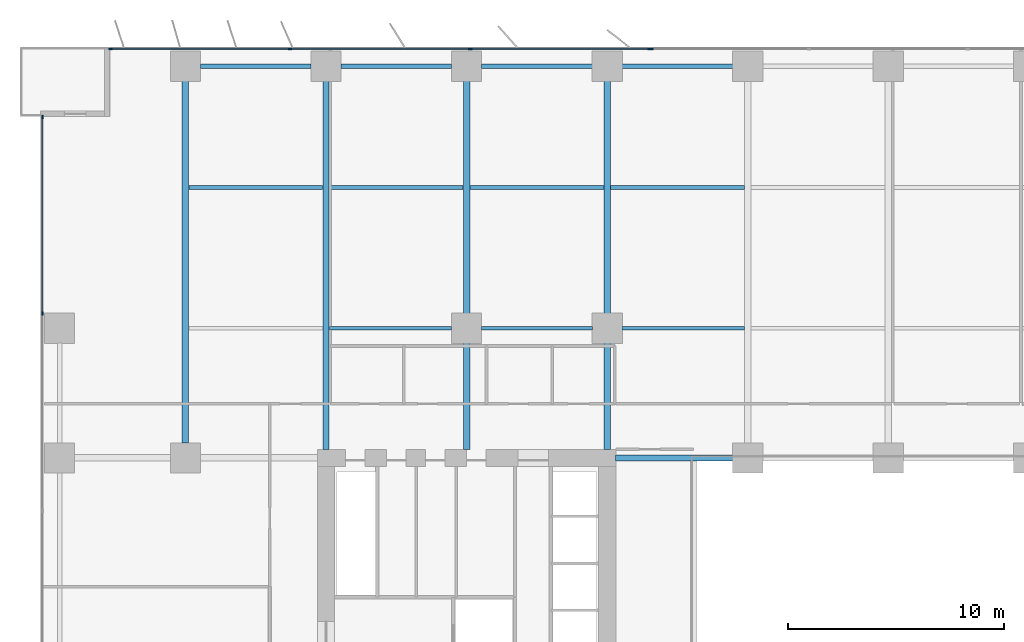
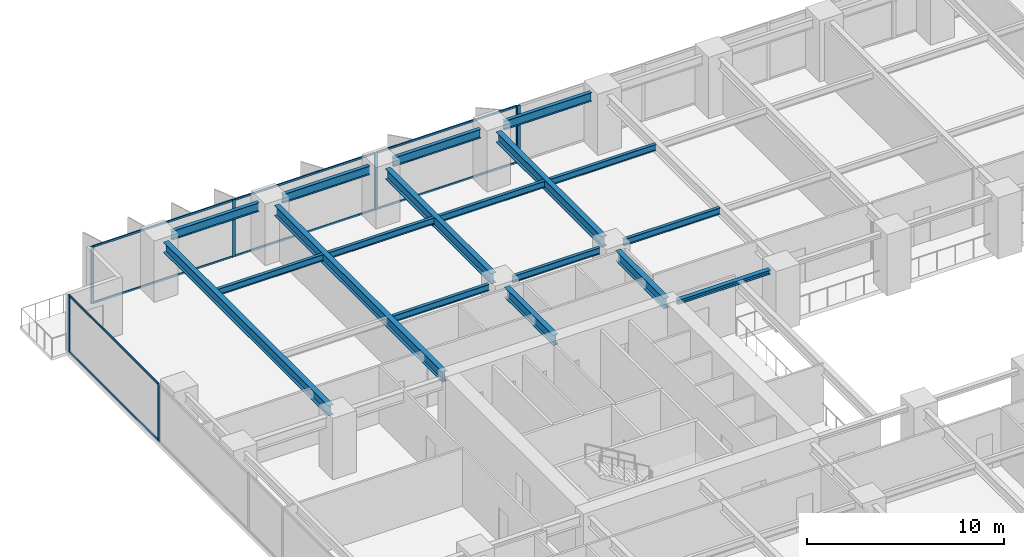
# One storey, part 7 of 20: 18 beams, 15 members, 3 elements without a shape of their own.
"""IFC4 building model written with IfcOpenShell, lengths in metres."""

from ifc_helpers import new_model, si_unit, direction, frame, origin, origin_2d, place, context, subcontext, project, spatial, rectangle, i_section, extrude, material, layer, layer_set, material_profile, profile_set, type_object, element, aggregate, save


model = new_model("IFC4")

# Units and contexts
model_context = context("Model", 3, precision=1e-05, world=origin(), true_north=direction((0.0, 1.0)))
body_context = subcontext(model_context, "Body", "Model", "MODEL_VIEW")
ifc_project = project(units=[si_unit("LENGTHUNIT", "METRE"), si_unit("AREAUNIT", "SQUARE_METRE"), si_unit("VOLUMEUNIT", "CUBIC_METRE"), si_unit("PLANEANGLEUNIT", "RADIAN"), si_unit("MASSUNIT", "GRAM", prefix="KILO")], contexts=[model_context])

# Site, building, storey
site_placement = place(None, origin())
site = spatial("IfcSite", under=ifc_project, at=site_placement, CompositionType="ELEMENT")
building_placement = place(site_placement, origin())
building = spatial("IfcBuilding", under=site, at=building_placement, Name="Putna Gate Headquarters", CompositionType="ELEMENT")
storey_placement = place(building_placement, frame((0.0, 0.0, 73.39990234375)))
storey = spatial("IfcBuildingStorey", under=building, at=storey_placement, Name="L17", CompositionType="ELEMENT", Elevation=73.39990234375)

# Beams
ifc_material_1 = material(Name="Steel S355J2", Category="steel")
ifc_material_profile_1 = material_profile(ifc_material_1, i_section(OverallWidth=0.260009765625, OverallDepth=0.260009765625, WebThickness=0.010009765625, FlangeThickness=0.017578125, at=origin_2d()), Name="Steel S355J2")
ifc_profile_set_1 = profile_set([ifc_material_profile_1], Name="Steel S355J2")
beam_type_1 = type_object("IfcBeamType", Name="BM-ATRIUM-HEB260", PredefinedType="BEAM", material=ifc_profile_set_1)
beam_1_placement = place(storey_placement, frame((26.385009765625, 33.0, 3.420166015625), z_axis=(1.0, 0.0, 0.0), x_axis=(0.0, 1.0, 0.0)))
element("IfcBeam", 1, at=beam_1_placement, inside=storey, type_object=beam_type_1, Name="L17 Atrium Edge Beam AN1", PredefinedType="BEAM", context=body_context, shape_type="SweptSolid", body=[
    extrude(i_section(OverallWidth=0.260009765625, OverallDepth=0.260009765625, WebThickness=0.010009765625, FlangeThickness=0.017578125, at=origin_2d()), origin(), (0.0, 0.0, 1.0), 5.427001953125),
])
ifc_material_profile_2 = material_profile(ifc_material_1, i_section(OverallWidth=0.300048828125, OverallDepth=0.64990234375, WebThickness=0.01611328125, FlangeThickness=0.031005859375, at=origin_2d()), Name="Steel S355J2")
ifc_profile_set_2 = profile_set([ifc_material_profile_2], Name="Steel S355J2")
beam_type_2 = type_object("IfcBeamType", Name="BM-GIRD-Z1-HEB650", PredefinedType="USERDEFINED", material=ifc_profile_set_2)
beam_2_placement = place(storey_placement, frame((6.5, 33.68798828125, 3.22509765625), z_axis=(0.0, 1.0, 0.0), x_axis=(-1.0, 0.0, 0.0)))
element("IfcBeam", 2, at=beam_2_placement, inside=storey, type_object=beam_type_2, Name="L17 North Primary Girder X6", ObjectType="GIRDER", PredefinedType="USERDEFINED", context=body_context, shape_type="SweptSolid", body=[
    extrude(i_section(OverallWidth=0.300048828125, OverallDepth=0.64990234375, WebThickness=0.01611328125, FlangeThickness=0.031005859375, at=origin_2d()), origin(), (0.0, 0.0, 1.0), 16.743896484375),
])
beam_3_placement = place(storey_placement, frame((13.0, 33.385009765625, 3.22509765625), z_axis=(0.0, 1.0, 0.0), x_axis=(-1.0, 0.0, 0.0)))
element("IfcBeam", 3, at=beam_3_placement, inside=storey, type_object=beam_type_2, Name="L17 North Primary Girder X13", ObjectType="GIRDER", PredefinedType="USERDEFINED", context=body_context, shape_type="SweptSolid", body=[
    extrude(i_section(OverallWidth=0.300048828125, OverallDepth=0.64990234375, WebThickness=0.01611328125, FlangeThickness=0.031005859375, at=origin_2d()), origin(), (0.0, 0.0, 1.0), 17.046875),
])
beam_4_placement = place(storey_placement, frame((19.5, 33.385009765625, 3.22509765625), z_axis=(0.0, 1.0, 0.0), x_axis=(-1.0, 0.0, 0.0)))
element("IfcBeam", 4, at=beam_4_placement, inside=storey, type_object=beam_type_2, Name="L17 North Primary Girder X19-1", ObjectType="GIRDER", PredefinedType="USERDEFINED", context=body_context, shape_type="SweptSolid", body=[
    extrude(i_section(OverallWidth=0.300048828125, OverallDepth=0.64990234375, WebThickness=0.01611328125, FlangeThickness=0.031005859375, at=origin_2d()), origin(), (0.0, 0.0, 1.0), 4.927001953125),
])
beam_5_placement = place(storey_placement, frame((19.5, 39.68798828125, 3.22509765625), z_axis=(0.0, 1.0, 0.0), x_axis=(-1.0, 0.0, 0.0)))
element("IfcBeam", 5, at=beam_5_placement, inside=storey, type_object=beam_type_2, Name="L17 North Primary Girder X19-2", ObjectType="GIRDER", PredefinedType="USERDEFINED", context=body_context, shape_type="SweptSolid", body=[
    extrude(i_section(OverallWidth=0.300048828125, OverallDepth=0.64990234375, WebThickness=0.01611328125, FlangeThickness=0.031005859375, at=origin_2d()), origin(), (0.0, 0.0, 1.0), 10.743896484375),
])
beam_6_placement = place(storey_placement, frame((26.0, 33.385009765625, 3.22509765625), z_axis=(0.0, 1.0, 0.0), x_axis=(-1.0, 0.0, 0.0)))
element("IfcBeam", 6, at=beam_6_placement, inside=storey, type_object=beam_type_2, Name="L17 North Primary Girder X26-1", ObjectType="GIRDER", PredefinedType="USERDEFINED", context=body_context, shape_type="SweptSolid", body=[
    extrude(i_section(OverallWidth=0.300048828125, OverallDepth=0.64990234375, WebThickness=0.01611328125, FlangeThickness=0.031005859375, at=origin_2d()), origin(), (0.0, 0.0, 1.0), 4.927001953125),
])
beam_7_placement = place(storey_placement, frame((26.0, 39.68798828125, 3.22509765625), z_axis=(0.0, 1.0, 0.0), x_axis=(-1.0, 0.0, 0.0)))
element("IfcBeam", 7, at=beam_7_placement, inside=storey, type_object=beam_type_2, Name="L17 North Primary Girder X26-2", ObjectType="GIRDER", PredefinedType="USERDEFINED", context=body_context, shape_type="SweptSolid", body=[
    extrude(i_section(OverallWidth=0.300048828125, OverallDepth=0.64990234375, WebThickness=0.01611328125, FlangeThickness=0.031005859375, at=origin_2d()), origin(), (0.0, 0.0, 1.0), 10.743896484375),
])
ifc_material_profile_3 = material_profile(ifc_material_1, i_section(OverallWidth=0.179931640625, OverallDepth=0.39990234375, WebThickness=0.008544921875, FlangeThickness=0.013427734375, at=origin_2d()), Name="Steel S355J2")
ifc_profile_set_3 = profile_set([ifc_material_profile_3], Name="Steel S355J2")
beam_type_3 = type_object("IfcBeamType", Name="BM-SEC-Z1-IPE400", PredefinedType="BEAM", material=ifc_profile_set_3)
beam_8_placement = place(storey_placement, frame((6.654052734375, 45.5, 3.35009765625), z_axis=(1.0, 0.0, 0.0), x_axis=(0.0, 1.0, 0.0)))
element("IfcBeam", 8, at=beam_8_placement, inside=storey, type_object=beam_type_3, Name="L17 North Secondary Beam 1", PredefinedType="BEAM", context=body_context, shape_type="SweptSolid", body=[
    extrude(i_section(OverallWidth=0.179931640625, OverallDepth=0.39990234375, WebThickness=0.008544921875, FlangeThickness=0.013427734375, at=origin_2d()), origin(), (0.0, 0.0, 1.0), 6.19189453125),
])
beam_9_placement = place(storey_placement, frame((13.154052734375, 39.0, 3.35009765625), z_axis=(1.0, 0.0, 0.0), x_axis=(0.0, 1.0, 0.0)))
element("IfcBeam", 9, at=beam_9_placement, inside=storey, type_object=beam_type_3, Name="L17 North Secondary Beam 2", PredefinedType="BEAM", context=body_context, shape_type="SweptSolid", body=[
    extrude(i_section(OverallWidth=0.179931640625, OverallDepth=0.39990234375, WebThickness=0.008544921875, FlangeThickness=0.013427734375, at=origin_2d()), origin(), (0.0, 0.0, 1.0), 5.657958984375),
])
beam_10_placement = place(storey_placement, frame((13.154052734375, 45.5, 3.35009765625), z_axis=(1.0, 0.0, 0.0), x_axis=(0.0, 1.0, 0.0)))
element("IfcBeam", 10, at=beam_10_placement, inside=storey, type_object=beam_type_3, Name="L17 North Secondary Beam 2", PredefinedType="BEAM", context=body_context, shape_type="SweptSolid", body=[
    extrude(i_section(OverallWidth=0.179931640625, OverallDepth=0.39990234375, WebThickness=0.008544921875, FlangeThickness=0.013427734375, at=origin_2d()), origin(), (0.0, 0.0, 1.0), 6.19189453125),
])
beam_11_placement = place(storey_placement, frame((20.18798828125, 39.0, 3.35009765625), z_axis=(1.0, 0.0, 0.0), x_axis=(0.0, 1.0, 0.0)))
element("IfcBeam", 11, at=beam_11_placement, inside=storey, type_object=beam_type_3, Name="L17 North Secondary Beam 3", PredefinedType="BEAM", context=body_context, shape_type="SweptSolid", body=[
    extrude(i_section(OverallWidth=0.179931640625, OverallDepth=0.39990234375, WebThickness=0.008544921875, FlangeThickness=0.013427734375, at=origin_2d()), origin(), (0.0, 0.0, 1.0), 5.1240234375),
])
beam_12_placement = place(storey_placement, frame((19.654052734375, 45.5, 3.35009765625), z_axis=(1.0, 0.0, 0.0), x_axis=(0.0, 1.0, 0.0)))
element("IfcBeam", 12, at=beam_12_placement, inside=storey, type_object=beam_type_3, Name="L17 North Secondary Beam 3", PredefinedType="BEAM", context=body_context, shape_type="SweptSolid", body=[
    extrude(i_section(OverallWidth=0.179931640625, OverallDepth=0.39990234375, WebThickness=0.008544921875, FlangeThickness=0.013427734375, at=origin_2d()), origin(), (0.0, 0.0, 1.0), 6.19189453125),
])
beam_13_placement = place(storey_placement, frame((26.68798828125, 39.0, 3.35009765625), z_axis=(1.0, 0.0, 0.0), x_axis=(0.0, 1.0, 0.0)))
element("IfcBeam", 13, at=beam_13_placement, inside=storey, type_object=beam_type_3, Name="L17 North Secondary Beam 4", PredefinedType="BEAM", context=body_context, shape_type="SweptSolid", body=[
    extrude(i_section(OverallWidth=0.179931640625, OverallDepth=0.39990234375, WebThickness=0.008544921875, FlangeThickness=0.013427734375, at=origin_2d()), origin(), (0.0, 0.0, 1.0), 5.657958984375),
])
beam_14_placement = place(storey_placement, frame((26.154052734375, 45.5, 3.35009765625), z_axis=(1.0, 0.0, 0.0), x_axis=(0.0, 1.0, 0.0)))
element("IfcBeam", 14, at=beam_14_placement, inside=storey, type_object=beam_type_3, Name="L17 North Secondary Beam 4", PredefinedType="BEAM", context=body_context, shape_type="SweptSolid", body=[
    extrude(i_section(OverallWidth=0.179931640625, OverallDepth=0.39990234375, WebThickness=0.008544921875, FlangeThickness=0.013427734375, at=origin_2d()), origin(), (0.0, 0.0, 1.0), 6.19189453125),
])
ifc_material_profile_4 = material_profile(ifc_material_1, i_section(OverallWidth=0.2099609375, OverallDepth=0.550048828125, WebThickness=0.010986328125, FlangeThickness=0.01708984375, at=origin_2d()), Name="Steel S355J2")
ifc_profile_set_4 = profile_set([ifc_material_profile_4], Name="Steel S355J2")
beam_type_4 = type_object("IfcBeamType", Name="BM-SPAN-Z1-IPE550", PredefinedType="SPANDREL", material=ifc_profile_set_4)
for number, where, z_axis, x_axis, name in (
    (15, (7.18798828125, 51.1201171875, 3.275146484375), (1.0, 0.0, 0.0), (0.0, 1.0, 0.0), "L17 N Perimeter Spandrel 1"),
    (16, (13.68798828125, 51.1201171875, 3.275146484375), (1.0, 0.0, 0.0), (0.0, 1.0, 0.0), "L17 N Perimeter Spandrel 2"),
    (17, (20.18798828125, 51.1201171875, 3.275146484375), (1.0, 0.0, 0.0), (0.0, 1.0, 0.0), "L17 N Perimeter Spandrel 3"),
    (18, (26.68798828125, 51.1201171875, 3.275146484375), (1.0, 0.0, 0.0), (0.0, 1.0, 0.0), "L17 N Perimeter Spandrel 4"),
):
    element("IfcBeam", number, at=place(storey_placement, frame(where, z_axis=z_axis, x_axis=x_axis)), inside=storey, type_object=beam_type_4, Name=name, PredefinedType="SPANDREL", context=body_context, shape_type="SweptSolid", body=[
        extrude(i_section(OverallWidth=0.2099609375, OverallDepth=0.550048828125, WebThickness=0.010986328125, FlangeThickness=0.01708984375, at=origin_2d()), origin(), (0.0, 0.0, 1.0), 5.1240234375),
    ])

# Curtain wall, members
ifc_material_2 = material(Name="Anodised bronze aluminium curtain wall", Category="aluminium")
ifc_layer_1 = layer(ifc_material_2, 0.179931640625)
ifc_layer_set_1 = layer_set([ifc_layer_1], Name="Anodised bronze aluminium curtain wall")
curtain_wall_type_1 = type_object("IfcCurtainWallType", Name="CW-SYS-Z1", PredefinedType="USERDEFINED", material=ifc_layer_set_1)
curtain_wall_1_placement = place(storey_placement, origin())
curtain_wall_1 = element("IfcCurtainWall", 19, at=curtain_wall_1_placement, inside=storey, type_object=curtain_wall_type_1, Name="L17 North West Curtain Wall", ObjectType="STICK CURTAIN WALL", PredefinedType="USERDEFINED")
ifc_material_3 = material(Name="Anodised bronze aluminium EN AW-6060", Category="aluminium")
ifc_material_profile_5 = material_profile(ifc_material_3, rectangle(XDim=0.070068359375, YDim=0.179931640625, at=origin_2d()), Name="Anodised bronze aluminium EN AW-6060")
ifc_profile_set_5 = profile_set([ifc_material_profile_5], Name="Anodised bronze aluminium EN AW-6060")
member_type_1 = type_object("IfcMemberType", Name="MULL-CWM-1", PredefinedType="MULLION", material=ifc_profile_set_5)
member_1_placement = place(storey_placement, frame((3.034912109375, 51.919921875, 0.0), z_axis=(0.0, 0.0, 1.0), x_axis=(0.0, 1.0, 0.0)))
member_1 = element("IfcMember", 20, at=member_1_placement, type_object=member_type_1, Name="CWS-1 mullion 1", PredefinedType="MULLION", context=body_context, shape_type="SweptSolid", body=[
    extrude(rectangle(XDim=0.070068359375, YDim=0.179931640625, at=origin_2d()), origin(), (0.0, 0.0, 1.0), 3.550048828125),
])
member_2_placement = place(storey_placement, frame((11.333251953125, 51.919921875, 0.0), z_axis=(0.0, 0.0, 1.0), x_axis=(0.0, 1.0, 0.0)))
member_2 = element("IfcMember", 21, at=member_2_placement, type_object=member_type_1, Name="CWS-1 mullion 2", PredefinedType="MULLION", context=body_context, shape_type="SweptSolid", body=[
    extrude(rectangle(XDim=0.070068359375, YDim=0.179931640625, at=origin_2d()), origin(), (0.0, 0.0, 1.0), 3.550048828125),
])
member_3_placement = place(storey_placement, frame((19.666748046875, 51.919921875, 0.0), z_axis=(0.0, 0.0, 1.0), x_axis=(0.0, 1.0, 0.0)))
member_3 = element("IfcMember", 22, at=member_3_placement, type_object=member_type_1, Name="CWS-1 mullion 3", PredefinedType="MULLION", context=body_context, shape_type="SweptSolid", body=[
    extrude(rectangle(XDim=0.070068359375, YDim=0.179931640625, at=origin_2d()), origin(), (0.0, 0.0, 1.0), 3.550048828125),
])
member_4_placement = place(storey_placement, frame((27.965087890625, 51.919921875, 0.0), z_axis=(0.0, 0.0, 1.0), x_axis=(0.0, 1.0, 0.0)))
member_4 = element("IfcMember", 23, at=member_4_placement, type_object=member_type_1, Name="CWS-1 mullion 4", PredefinedType="MULLION", context=body_context, shape_type="SweptSolid", body=[
    extrude(rectangle(XDim=0.070068359375, YDim=0.179931640625, at=origin_2d()), origin(), (0.0, 0.0, 1.0), 3.550048828125),
])

curtain_wall_2_placement = place(storey_placement, origin())
curtain_wall_2 = element("IfcCurtainWall", 24, at=curtain_wall_2_placement, inside=storey, type_object=curtain_wall_type_1, Name="L17 West Curtain Wall", ObjectType="STICK CURTAIN WALL", PredefinedType="USERDEFINED")
member_5_placement = place(storey_placement, frame((-0.1201171875, 39.679931640625, 0.0), z_axis=(0.0, 0.0, 1.0), x_axis=(-1.0, 0.0, 0.0)))
member_5 = element("IfcMember", 25, at=member_5_placement, type_object=member_type_1, Name="CWS-1 mullion 5", PredefinedType="MULLION", context=body_context, shape_type="SweptSolid", body=[
    extrude(rectangle(XDim=0.070068359375, YDim=0.179931640625, at=origin_2d()), origin(), (0.0, 0.0, 1.0), 3.550048828125),
])
member_6_placement = place(storey_placement, frame((-0.1201171875, 48.764892578125, 0.0), z_axis=(0.0, 0.0, 1.0), x_axis=(-1.0, 0.0, 0.0)))
member_6 = element("IfcMember", 26, at=member_6_placement, type_object=member_type_1, Name="CWS-1 mullion 6", PredefinedType="MULLION", context=body_context, shape_type="SweptSolid", body=[
    extrude(rectangle(XDim=0.070068359375, YDim=0.179931640625, at=origin_2d()), origin(), (0.0, 0.0, 1.0), 3.550048828125),
])

# Curtain wall, member
ifc_layer_2 = layer(ifc_material_2, 0.179931640625)
ifc_layer_set_2 = layer_set([ifc_layer_2], Name="Anodised bronze aluminium curtain wall")
curtain_wall_type_2 = type_object("IfcCurtainWallType", Name="CW-SYS-ATR", PredefinedType="USERDEFINED", material=ifc_layer_set_2)
curtain_wall_3_placement = place(storey_placement, origin())
curtain_wall_3 = element("IfcCurtainWall", 27, at=curtain_wall_3_placement, inside=storey, type_object=curtain_wall_type_2, Name="L17 North Atrium Clear Glazing", ObjectType="ATRIUM GLAZING", PredefinedType="USERDEFINED")
ifc_material_profile_6 = material_profile(ifc_material_3, rectangle(XDim=0.070068359375, YDim=0.179931640625, at=origin_2d()), Name="Anodised bronze aluminium EN AW-6060")
ifc_profile_set_6 = profile_set([ifc_material_profile_6], Name="Anodised bronze aluminium EN AW-6060")
member_type_2 = type_object("IfcMemberType", Name="MULL-CWM-AT", PredefinedType="MULLION", material=ifc_profile_set_6)
member_7_placement = place(storey_placement, frame((28.034912109375, 51.919921875, 0.0), z_axis=(0.0, 0.0, 1.0), x_axis=(0.0, 1.0, 0.0)))
member_7 = element("IfcMember", 28, at=member_7_placement, type_object=member_type_2, Name="CWS-AT mullion 1", PredefinedType="MULLION", context=body_context, shape_type="SweptSolid", body=[
    extrude(rectangle(XDim=0.070068359375, YDim=0.179931640625, at=origin_2d()), origin(), (0.0, 0.0, 1.0), 3.550048828125),
])
aggregate(curtain_wall_3, [member_7])

# Member
ifc_material_profile_7 = material_profile(ifc_material_3, rectangle(XDim=0.06494140625, YDim=0.1201171875, at=origin_2d()), Name="Anodised bronze aluminium EN AW-6060")
ifc_profile_set_7 = profile_set([ifc_material_profile_7], Name="Anodised bronze aluminium EN AW-6060")
member_type_3 = type_object("IfcMemberType", Name="TRAN-CWT-1", PredefinedType="USERDEFINED", material=ifc_profile_set_7)
member_8_placement = place(storey_placement, frame((3.070068359375, 51.919921875, 0.03271484375), z_axis=(1.0, 0.0, 0.0), x_axis=(0.0, 1.0, 0.0)))
member_8 = element("IfcMember", 29, at=member_8_placement, type_object=member_type_3, Name="CWS-1 transom 1.1", ObjectType="TRANSOM", PredefinedType="USERDEFINED", context=body_context, shape_type="SweptSolid", body=[
    extrude(rectangle(XDim=0.06494140625, YDim=0.1201171875, at=origin_2d()), origin(), (0.0, 0.0, 1.0), 8.228271484375),
])

member_9_placement = place(storey_placement, frame((3.070068359375, 51.919921875, 3.517578125), z_axis=(1.0, 0.0, 0.0), x_axis=(0.0, 1.0, 0.0)))
member_9 = element("IfcMember", 30, at=member_9_placement, type_object=member_type_3, Name="CWS-1 transom 1.2", ObjectType="TRANSOM", PredefinedType="USERDEFINED", context=body_context, shape_type="SweptSolid", body=[
    extrude(rectangle(XDim=0.06494140625, YDim=0.1201171875, at=origin_2d()), origin(), (0.0, 0.0, 1.0), 8.228271484375),
])

member_10_placement = place(storey_placement, frame((11.368408203125, 51.919921875, 0.03271484375), z_axis=(1.0, 0.0, 0.0), x_axis=(0.0, 1.0, 0.0)))
member_10 = element("IfcMember", 31, at=member_10_placement, type_object=member_type_3, Name="CWS-1 transom 2.1", ObjectType="TRANSOM", PredefinedType="USERDEFINED", context=body_context, shape_type="SweptSolid", body=[
    extrude(rectangle(XDim=0.06494140625, YDim=0.1201171875, at=origin_2d()), origin(), (0.0, 0.0, 1.0), 8.26318359375),
])

member_11_placement = place(storey_placement, frame((11.368408203125, 51.919921875, 3.517578125), z_axis=(1.0, 0.0, 0.0), x_axis=(0.0, 1.0, 0.0)))
member_11 = element("IfcMember", 32, at=member_11_placement, type_object=member_type_3, Name="CWS-1 transom 2.2", ObjectType="TRANSOM", PredefinedType="USERDEFINED", context=body_context, shape_type="SweptSolid", body=[
    extrude(rectangle(XDim=0.06494140625, YDim=0.1201171875, at=origin_2d()), origin(), (0.0, 0.0, 1.0), 8.26318359375),
])

member_12_placement = place(storey_placement, frame((19.70166015625, 51.919921875, 0.03271484375), z_axis=(1.0, 0.0, 0.0), x_axis=(0.0, 1.0, 0.0)))
member_12 = element("IfcMember", 33, at=member_12_placement, type_object=member_type_3, Name="CWS-1 transom 3.1", ObjectType="TRANSOM", PredefinedType="USERDEFINED", context=body_context, shape_type="SweptSolid", body=[
    extrude(rectangle(XDim=0.06494140625, YDim=0.1201171875, at=origin_2d()), origin(), (0.0, 0.0, 1.0), 8.228271484375),
])

member_13_placement = place(storey_placement, frame((19.70166015625, 51.919921875, 3.517578125), z_axis=(1.0, 0.0, 0.0), x_axis=(0.0, 1.0, 0.0)))
member_13 = element("IfcMember", 34, at=member_13_placement, type_object=member_type_3, Name="CWS-1 transom 3.2", ObjectType="TRANSOM", PredefinedType="USERDEFINED", context=body_context, shape_type="SweptSolid", body=[
    extrude(rectangle(XDim=0.06494140625, YDim=0.1201171875, at=origin_2d()), origin(), (0.0, 0.0, 1.0), 8.228271484375),
])

aggregate(curtain_wall_1, [member_1, member_2, member_3, member_4, member_8, member_9, member_10, member_11, member_12, member_13])

member_14_placement = place(storey_placement, frame((-0.1201171875, 39.715087890625, 0.03271484375), z_axis=(0.0, 1.0, 0.0), x_axis=(-1.0, 0.0, 0.0)))
member_14 = element("IfcMember", 35, at=member_14_placement, type_object=member_type_3, Name="CWS-1 transom 5.1", ObjectType="TRANSOM", PredefinedType="USERDEFINED", context=body_context, shape_type="SweptSolid", body=[
    extrude(rectangle(XDim=0.06494140625, YDim=0.1201171875, at=origin_2d()), origin(), (0.0, 0.0, 1.0), 9.014892578125),
])

member_15_placement = place(storey_placement, frame((-0.1201171875, 39.715087890625, 3.517578125), z_axis=(0.0, 1.0, 0.0), x_axis=(-1.0, 0.0, 0.0)))
member_15 = element("IfcMember", 36, at=member_15_placement, type_object=member_type_3, Name="CWS-1 transom 5.2", ObjectType="TRANSOM", PredefinedType="USERDEFINED", context=body_context, shape_type="SweptSolid", body=[
    extrude(rectangle(XDim=0.06494140625, YDim=0.1201171875, at=origin_2d()), origin(), (0.0, 0.0, 1.0), 9.014892578125),
])

aggregate(curtain_wall_2, [member_5, member_6, member_14, member_15])

save(model, "model.ifc")
